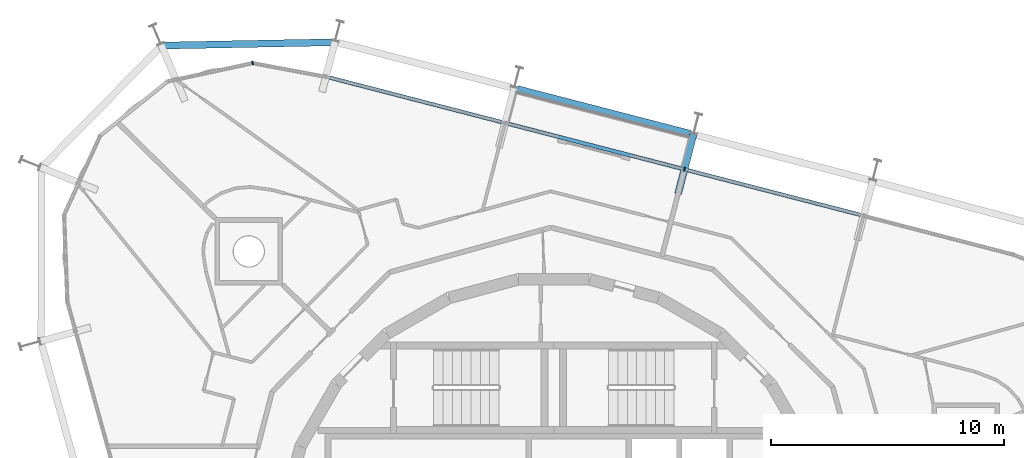
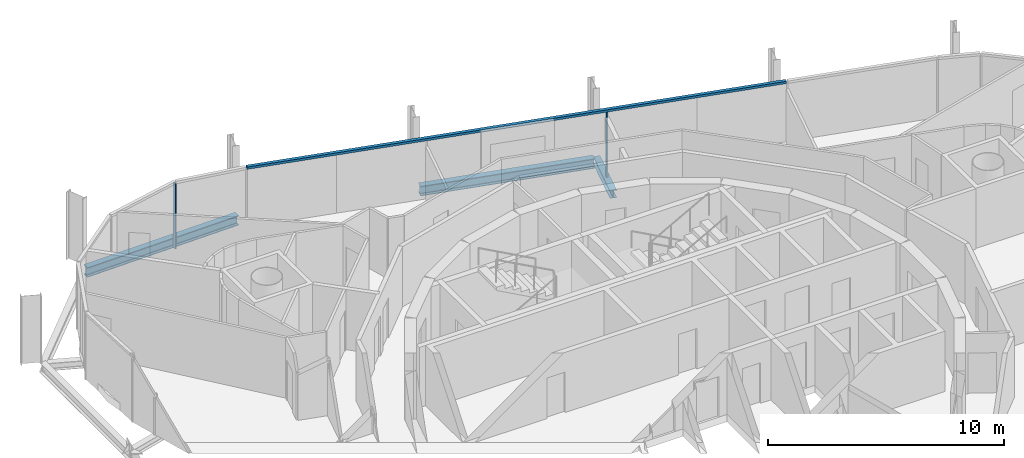
# One storey, part 6 of 15: 3 beams, 3 members, 2 elements without a shape of their own.
"""IFC4 building model written with IfcOpenShell, lengths in metres."""

from ifc_helpers import new_model, si_unit, direction, frame, origin, origin_2d, place, context, subcontext, project, spatial, rectangle, i_section, extrude, material, layer, layer_set, material_profile, profile_set, type_object, element, aggregate, save


model = new_model("IFC4")

# Units and contexts
model_context = context("Model", 3, precision=1e-05, world=origin(), true_north=direction((0.0, 1.0)))
body_context = subcontext(model_context, "Body", "Model", "MODEL_VIEW")
ifc_project = project(units=[si_unit("LENGTHUNIT", "METRE"), si_unit("AREAUNIT", "SQUARE_METRE"), si_unit("VOLUMEUNIT", "CUBIC_METRE"), si_unit("PLANEANGLEUNIT", "RADIAN"), si_unit("MASSUNIT", "GRAM", prefix="KILO")], contexts=[model_context])

# Site, building, storey
site_placement = place(None, origin())
site = spatial("IfcSite", under=ifc_project, at=site_placement, CompositionType="ELEMENT")
building_placement = place(site_placement, origin())
building = spatial("IfcBuilding", under=site, at=building_placement, Name="Spindle Arch Residences", CompositionType="ELEMENT")
storey_placement = place(building_placement, frame((0.0, 0.0, 305.199951171875)))
storey = spatial("IfcBuildingStorey", under=building, at=storey_placement, Name="L78", CompositionType="ELEMENT", Elevation=305.199951171875)

# Curtain wall, member
ifc_material_1 = material(Name="Aluminium bronze unitised frame with tinted glass", Category="aluminium")
ifc_layer_1 = layer(ifc_material_1, 0.159912109375)
ifc_layer_set_1 = layer_set([ifc_layer_1], Name="CW-C typical residential unitised wall")
curtain_wall_type_1 = type_object("IfcCurtainWallType", Name="CW-C typical residential unitised wall", PredefinedType="NOTDEFINED", material=ifc_layer_set_1)
curtain_wall_1_placement = place(storey_placement, origin())
curtain_wall_1 = element("IfcCurtainWall", 1, at=curtain_wall_1_placement, inside=storey, type_object=curtain_wall_type_1, Name="CW-C L78 run 2", PredefinedType="NOTDEFINED")
ifc_material_2 = material(Name="Aluminium bronze anodised mullion", Category="aluminium")
ifc_material_profile_1 = material_profile(ifc_material_2, rectangle(XDim=0.159912109375, YDim=0.06005859375, at=origin_2d()), Name="MU 60x160")
ifc_profile_set_1 = profile_set([ifc_material_profile_1], Name="Aluminium bronze anodised mullion")
member_type_1 = type_object("IfcMemberType", Name="Bronze mullion 60x160", PredefinedType="MULLION", material=ifc_profile_set_1)
member_1_placement = place(storey_placement, frame((5.59814453125, 16.3642578125, -0.3798828125), z_axis=(0.0, 0.0, 1.0), x_axis=(-0.250380004054, -0.968147640378, 0.0)))
member_1 = element("IfcMember", 2, at=member_1_placement, type_object=member_type_1, Name="CW-C mullion 06", PredefinedType="MULLION", context=body_context, shape_type="SweptSolid", body=[
    extrude(rectangle(XDim=0.159912109375, YDim=0.06005859375, at=origin_2d()), origin(), (0.0, 0.0, 1.0), 3.3798828125),
])

ifc_material_3 = material(Name="Aluminium bronze unitised frame with tinted glass", Category="aluminium")
ifc_layer_2 = layer(ifc_material_3, 0.159912109375)
ifc_layer_set_2 = layer_set([ifc_layer_2], Name="CW-D corner wall on the fillet arcs")
curtain_wall_type_2 = type_object("IfcCurtainWallType", Name="CW-D corner wall on the fillet arcs", PredefinedType="NOTDEFINED", material=ifc_layer_set_2)
curtain_wall_2_placement = place(storey_placement, origin())
curtain_wall_2 = element("IfcCurtainWall", 3, at=curtain_wall_2_placement, inside=storey, type_object=curtain_wall_type_2, Name="CW-D L78 run 3", PredefinedType="NOTDEFINED")
member_2_placement = place(storey_placement, frame((-12.908935546875, 20.925537109375, -0.3798828125), z_axis=(0.0, 0.0, 1.0), x_axis=(0.210756129184, -0.977538671364, 0.0)))
member_2 = element("IfcMember", 4, at=member_2_placement, type_object=member_type_1, Name="CW-D mullion 01", PredefinedType="MULLION", context=body_context, shape_type="SweptSolid", body=[
    extrude(rectangle(XDim=0.159912109375, YDim=0.06005859375, at=origin_2d()), origin(), (0.0, 0.0, 1.0), 3.3798828125),
])
aggregate(curtain_wall_2, [member_2])

# Member
ifc_material_4 = material(Name="Aluminium bronze anodised transom", Category="aluminium")
ifc_material_profile_2 = material_profile(ifc_material_4, rectangle(XDim=0.159912109375, YDim=0.1201171875, at=origin_2d()), Name="TR 120x160")
ifc_profile_set_2 = profile_set([ifc_material_profile_2], Name="Aluminium bronze anodised transom")
member_type_2 = type_object("IfcMemberType", Name="Bronze transom 120x160", PredefinedType="USERDEFINED", material=ifc_profile_set_2)
member_3_placement = place(storey_placement, frame((13.25146484375, 14.385009765625, 3.06005859375), z_axis=(-0.96814815777, 0.250378003441, 0.0), x_axis=(-0.250378003441, -0.96814815777, 0.0)))
member_3 = element("IfcMember", 5, at=member_3_placement, type_object=member_type_2, Name="CW-C transom 00", ObjectType="TRANSOM", PredefinedType="USERDEFINED", context=body_context, shape_type="SweptSolid", body=[
    extrude(rectangle(XDim=0.159912109375, YDim=0.1201171875, at=origin_2d()), origin(), (0.0, 0.0, 1.0), 23.745361328125),
])

aggregate(curtain_wall_1, [member_3, member_1])

# Beams
ifc_material_5 = material(Name="Steel S460ML, intumescent coating R 120", Category="steel")
ifc_material_profile_3 = material_profile(ifc_material_5, i_section(OverallWidth=0.300048828125, OverallDepth=0.5, WebThickness=0.014404296875, FlangeThickness=0.028076171875, FilletRadius=0.027099609375, at=origin_2d()), Name="HEB 500")
ifc_profile_set_3 = profile_set([ifc_material_profile_3], Name="Steel S460ML, intumescent coating R 120")
beam_type_1 = type_object("IfcBeamType", Name="Exoskeleton edge beam HEB 500", PredefinedType="BEAM", material=ifc_profile_set_3)
beam_1_placement = place(storey_placement, frame((5.85791015625, 17.8876953125, -0.6298828125), z_axis=(-0.968149836341, 0.250371512743, 0.0), x_axis=(-0.250371512743, -0.968149836341, 0.0)))
element("IfcBeam", 6, at=beam_1_placement, inside=storey, type_object=beam_type_1, Name="Exoskeleton edge beam 7", PredefinedType="BEAM", context=body_context, shape_type="SweptSolid", body=[
    extrude(i_section(OverallWidth=0.300048828125, OverallDepth=0.5, WebThickness=0.014404296875, FlangeThickness=0.028076171875, FilletRadius=0.027099609375, at=origin_2d()), origin(), (0.0, 0.0, 1.0), 7.675048828125),
])
beam_2_placement = place(storey_placement, frame((-9.355224609375, 21.812255859375, -0.6298828125), z_axis=(-0.999816137615, -0.019175269612, 0.0), x_axis=(0.019175269612, -0.999816137615, 0.0)))
element("IfcBeam", 7, at=beam_2_placement, inside=storey, type_object=beam_type_1, Name="Exoskeleton edge beam 9", PredefinedType="BEAM", context=body_context, shape_type="SweptSolid", body=[
    extrude(i_section(OverallWidth=0.300048828125, OverallDepth=0.5, WebThickness=0.014404296875, FlangeThickness=0.028076171875, FilletRadius=0.027099609375, at=origin_2d()), origin(), (0.0, 0.0, 1.0), 7.499267578125),
])
ifc_material_6 = material(Name="Steel S460ML, intumescent coating R 120", Category="steel")
ifc_material_profile_4 = material_profile(ifc_material_6, i_section(OverallWidth=0.300048828125, OverallDepth=0.389892578125, WebThickness=0.010986328125, FlangeThickness=0.01904296875, FilletRadius=0.027099609375, at=origin_2d()), Name="HEA 400")
ifc_profile_set_4 = profile_set([ifc_material_profile_4], Name="Steel S460ML, intumescent coating R 120")
beam_type_2 = type_object("IfcBeamType", Name="Floor outrigger HEA 400", PredefinedType="BEAM", material=ifc_profile_set_4)
beam_3_placement = place(storey_placement, frame((5.9912109375, 17.88427734375, -0.574951171875), z_axis=(-0.250396221036, -0.968143446237, 0.0), x_axis=(0.968143446237, -0.250396221036, 0.0)))
element("IfcBeam", 8, at=beam_3_placement, inside=storey, type_object=beam_type_2, Name="Floor outrigger 7", PredefinedType="BEAM", context=body_context, shape_type="SweptSolid", body=[
    extrude(i_section(OverallWidth=0.300048828125, OverallDepth=0.389892578125, WebThickness=0.010986328125, FlangeThickness=0.01904296875, FilletRadius=0.027099609375, at=origin_2d()), origin(), (0.0, 0.0, 1.0), 2.650146484375),
])

save(model, "model.ifc")
